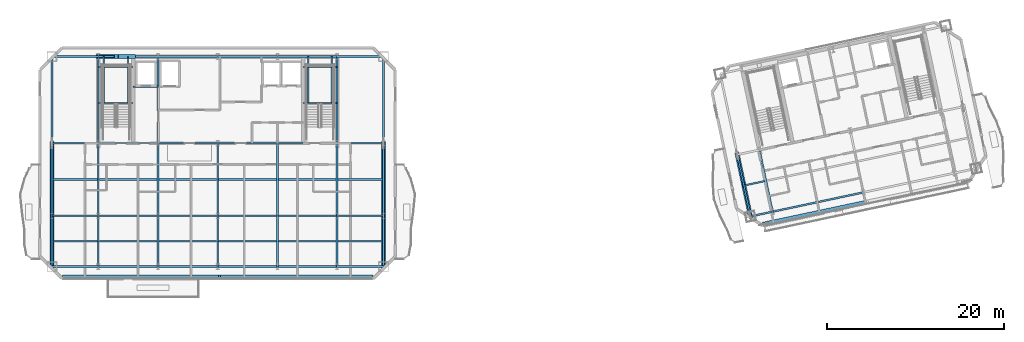
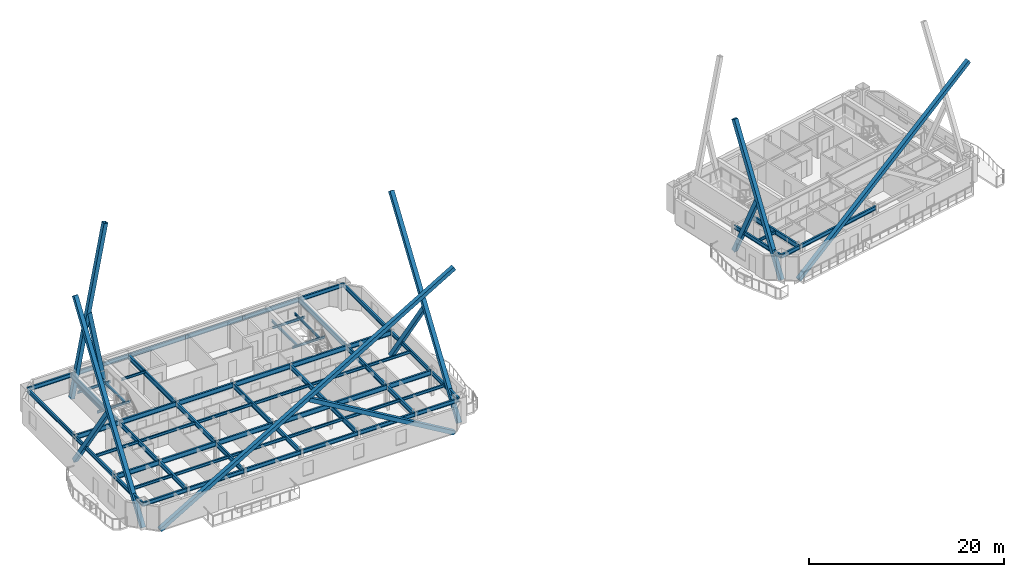
# One storey, part 3 of 19: 69 beams, 11 members.
"""IFC4 building model written with IfcOpenShell, lengths in metres."""

from ifc_helpers import new_model, si_unit, direction, frame, origin, origin_2d, place, context, subcontext, project, spatial, hollow_rectangle, i_section, extrude, material, material_profile, profile_set, type_object, element, save


model = new_model("IFC4")

# Units and contexts
model_context = context("Model", 3, precision=1e-05, world=origin(), true_north=direction((0.0, 1.0)))
body_context = subcontext(model_context, "Body", "Model", "MODEL_VIEW")
ifc_project = project(units=[si_unit("LENGTHUNIT", "METRE"), si_unit("AREAUNIT", "SQUARE_METRE"), si_unit("VOLUMEUNIT", "CUBIC_METRE"), si_unit("PLANEANGLEUNIT", "RADIAN"), si_unit("MASSUNIT", "GRAM", prefix="KILO")], contexts=[model_context])

# Site, building, storey
site_placement = place(None, origin())
site = spatial("IfcSite", under=ifc_project, at=site_placement, CompositionType="ELEMENT")
building_placement = place(site_placement, origin())
building = spatial("IfcBuilding", under=site, at=building_placement, Name="Haevon Station Towers", CompositionType="ELEMENT")
storey_placement = place(building_placement, frame((0.0, 0.0, 218.699951171875)))
storey = spatial("IfcBuildingStorey", under=building, at=storey_placement, Name="L60", CompositionType="ELEMENT", Elevation=218.699951171875)

# Beams
ifc_material_1 = material(Name="Steel S355", Category="steel")
ifc_material_profile_1 = material_profile(ifc_material_1, i_section(OverallWidth=0.199951171875, OverallDepth=0.60009765625, WebThickness=0.010986328125, FlangeThickness=0.01708984375, at=origin_2d()), Name="H-600x200x11x17")
ifc_profile_set_1 = profile_set([ifc_material_profile_1], Name="Steel S355")
beam_type_1 = type_object("IfcBeamType", Name="BM-G600", PredefinedType="BEAM", material=ifc_profile_set_1)
beam_1_placement = place(storey_placement, frame((18.75, 30.0, 2.75), z_axis=(1.0, 0.0, 0.0), x_axis=(0.0, 1.0, 0.0)))
element("IfcBeam", 1, at=beam_1_placement, inside=storey, type_object=beam_type_1, Name="BM-T1U-L60-02-01", PredefinedType="BEAM", context=body_context, shape_type="SweptSolid", body=[
    extrude(i_section(OverallWidth=0.199951171875, OverallDepth=0.60009765625, WebThickness=0.010986328125, FlangeThickness=0.01708984375, at=origin_2d()), origin(), (0.0, 0.0, 1.0), 5.25),
])
for number, where, z_axis, x_axis, name in (
    (2, (24.0, 30.0, 2.75), (1.0, 0.0, 0.0), (0.0, 1.0, 0.0), "BM-T1U-L60-02-02"),
    (3, (30.75, 30.0, 2.75), (1.0, 0.0, 0.0), (0.0, 1.0, 0.0), "BM-T1U-L60-02-03"),
    (4, (37.5, 30.0, 2.75), (1.0, 0.0, 0.0), (0.0, 1.0, 0.0), "BM-T1U-L60-02-04"),
    (5, (44.25, 30.0, 2.75), (1.0, 0.0, 0.0), (0.0, 1.0, 0.0), "BM-T1U-L60-02-05"),
):
    element("IfcBeam", number, at=place(storey_placement, frame(where, z_axis=z_axis, x_axis=x_axis)), inside=storey, type_object=beam_type_1, Name=name, PredefinedType="BEAM", context=body_context, shape_type="SweptSolid", body=[
        extrude(i_section(OverallWidth=0.199951171875, OverallDepth=0.60009765625, WebThickness=0.010986328125, FlangeThickness=0.01708984375, at=origin_2d()), origin(), (0.0, 0.0, 1.0), 6.75),
    ])
for number, where, z_axis, x_axis, name in (
    (6, (51.0, 30.0, 2.75), (1.0, 0.0, 0.0), (0.0, 1.0, 0.0), "BM-T1U-L60-02-06"),
    (7, (18.75, 38.199951171875, 2.75), (1.0, 0.0, 0.0), (0.0, 1.0, 0.0), "BM-T1U-L60-03-01"),
):
    element("IfcBeam", number, at=place(storey_placement, frame(where, z_axis=z_axis, x_axis=x_axis)), inside=storey, type_object=beam_type_1, Name=name, PredefinedType="BEAM", context=body_context, shape_type="SweptSolid", body=[
        extrude(i_section(OverallWidth=0.199951171875, OverallDepth=0.60009765625, WebThickness=0.010986328125, FlangeThickness=0.01708984375, at=origin_2d()), origin(), (0.0, 0.0, 1.0), 5.25),
    ])
for number, where, z_axis, x_axis, name in (
    (8, (24.0, 38.199951171875, 2.75), (1.0, 0.0, 0.0), (0.0, 1.0, 0.0), "BM-T1U-L60-03-02"),
    (9, (30.75, 38.199951171875, 2.75), (1.0, 0.0, 0.0), (0.0, 1.0, 0.0), "BM-T1U-L60-03-03"),
    (10, (37.5, 38.199951171875, 2.75), (1.0, 0.0, 0.0), (0.0, 1.0, 0.0), "BM-T1U-L60-03-04"),
    (11, (44.25, 38.199951171875, 2.75), (1.0, 0.0, 0.0), (0.0, 1.0, 0.0), "BM-T1U-L60-03-05"),
):
    element("IfcBeam", number, at=place(storey_placement, frame(where, z_axis=z_axis, x_axis=x_axis)), inside=storey, type_object=beam_type_1, Name=name, PredefinedType="BEAM", context=body_context, shape_type="SweptSolid", body=[
        extrude(i_section(OverallWidth=0.199951171875, OverallDepth=0.60009765625, WebThickness=0.010986328125, FlangeThickness=0.01708984375, at=origin_2d()), origin(), (0.0, 0.0, 1.0), 6.75),
    ])
beam_2_placement = place(storey_placement, frame((51.0, 38.199951171875, 2.75), z_axis=(1.0, 0.0, 0.0), x_axis=(0.0, 1.0, 0.0)))
element("IfcBeam", 12, at=beam_2_placement, inside=storey, type_object=beam_type_1, Name="BM-T1U-L60-03-06", PredefinedType="BEAM", context=body_context, shape_type="SweptSolid", body=[
    extrude(i_section(OverallWidth=0.199951171875, OverallDepth=0.60009765625, WebThickness=0.010986328125, FlangeThickness=0.01708984375, at=origin_2d()), origin(), (0.0, 0.0, 1.0), 5.25),
])
beam_3_placement = place(storey_placement, frame((24.0, 24.25, 2.75), z_axis=(0.0, 1.0, 0.0), x_axis=(-1.0, 0.0, 0.0)))
element("IfcBeam", 13, at=beam_3_placement, inside=storey, type_object=beam_type_1, Name="BM-T1V-L60-02-01", PredefinedType="BEAM", context=body_context, shape_type="SweptSolid", body=[
    extrude(i_section(OverallWidth=0.199951171875, OverallDepth=0.60009765625, WebThickness=0.010986328125, FlangeThickness=0.01708984375, at=origin_2d()), origin(), (0.0, 0.0, 1.0), 5.75),
])
beam_4_placement = place(storey_placement, frame((24.0, 30.0, 2.75), z_axis=(0.0, 1.0, 0.0), x_axis=(-1.0, 0.0, 0.0)))
element("IfcBeam", 14, at=beam_4_placement, inside=storey, type_object=beam_type_1, Name="BM-T1V-L60-02-02", PredefinedType="BEAM", context=body_context, shape_type="SweptSolid", body=[
    extrude(i_section(OverallWidth=0.199951171875, OverallDepth=0.60009765625, WebThickness=0.010986328125, FlangeThickness=0.01708984375, at=origin_2d()), origin(), (0.0, 0.0, 1.0), 8.199951171875),
])
beam_5_placement = place(storey_placement, frame((24.0, 38.199951171875, 2.75), z_axis=(0.0, 1.0, 0.0), x_axis=(-1.0, 0.0, 0.0)))
element("IfcBeam", 15, at=beam_5_placement, inside=storey, type_object=beam_type_1, Name="BM-T1V-L60-02-03", PredefinedType="BEAM", context=body_context, shape_type="SweptSolid", body=[
    extrude(i_section(OverallWidth=0.199951171875, OverallDepth=0.60009765625, WebThickness=0.010986328125, FlangeThickness=0.01708984375, at=origin_2d()), origin(), (0.0, 0.0, 1.0), 9.800048828125),
])
beam_6_placement = place(storey_placement, frame((30.75, 24.25, 2.75), z_axis=(0.0, 1.0, 0.0), x_axis=(-1.0, 0.0, 0.0)))
element("IfcBeam", 16, at=beam_6_placement, inside=storey, type_object=beam_type_1, Name="BM-T1V-L60-03-01", PredefinedType="BEAM", context=body_context, shape_type="SweptSolid", body=[
    extrude(i_section(OverallWidth=0.199951171875, OverallDepth=0.60009765625, WebThickness=0.010986328125, FlangeThickness=0.01708984375, at=origin_2d()), origin(), (0.0, 0.0, 1.0), 5.75),
])
beam_7_placement = place(storey_placement, frame((30.75, 30.0, 2.75), z_axis=(0.0, 1.0, 0.0), x_axis=(-1.0, 0.0, 0.0)))
element("IfcBeam", 17, at=beam_7_placement, inside=storey, type_object=beam_type_1, Name="BM-T1V-L60-03-02", PredefinedType="BEAM", context=body_context, shape_type="SweptSolid", body=[
    extrude(i_section(OverallWidth=0.199951171875, OverallDepth=0.60009765625, WebThickness=0.010986328125, FlangeThickness=0.01708984375, at=origin_2d()), origin(), (0.0, 0.0, 1.0), 8.199951171875),
])
beam_8_placement = place(storey_placement, frame((30.75, 38.199951171875, 2.75), z_axis=(0.0, 1.0, 0.0), x_axis=(-1.0, 0.0, 0.0)))
element("IfcBeam", 18, at=beam_8_placement, inside=storey, type_object=beam_type_1, Name="BM-T1V-L60-03-03", PredefinedType="BEAM", context=body_context, shape_type="SweptSolid", body=[
    extrude(i_section(OverallWidth=0.199951171875, OverallDepth=0.60009765625, WebThickness=0.010986328125, FlangeThickness=0.01708984375, at=origin_2d()), origin(), (0.0, 0.0, 1.0), 9.800048828125),
])
beam_9_placement = place(storey_placement, frame((37.5, 24.25, 2.75), z_axis=(0.0, 1.0, 0.0), x_axis=(-1.0, 0.0, 0.0)))
element("IfcBeam", 19, at=beam_9_placement, inside=storey, type_object=beam_type_1, Name="BM-T1V-L60-04-01", PredefinedType="BEAM", context=body_context, shape_type="SweptSolid", body=[
    extrude(i_section(OverallWidth=0.199951171875, OverallDepth=0.60009765625, WebThickness=0.010986328125, FlangeThickness=0.01708984375, at=origin_2d()), origin(), (0.0, 0.0, 1.0), 5.75),
])
beam_10_placement = place(storey_placement, frame((37.5, 30.0, 2.75), z_axis=(0.0, 1.0, 0.0), x_axis=(-1.0, 0.0, 0.0)))
element("IfcBeam", 20, at=beam_10_placement, inside=storey, type_object=beam_type_1, Name="BM-T1V-L60-04-02", PredefinedType="BEAM", context=body_context, shape_type="SweptSolid", body=[
    extrude(i_section(OverallWidth=0.199951171875, OverallDepth=0.60009765625, WebThickness=0.010986328125, FlangeThickness=0.01708984375, at=origin_2d()), origin(), (0.0, 0.0, 1.0), 8.199951171875),
])
beam_11_placement = place(storey_placement, frame((44.25, 24.25, 2.75), z_axis=(0.0, 1.0, 0.0), x_axis=(-1.0, 0.0, 0.0)))
element("IfcBeam", 21, at=beam_11_placement, inside=storey, type_object=beam_type_1, Name="BM-T1V-L60-05-01", PredefinedType="BEAM", context=body_context, shape_type="SweptSolid", body=[
    extrude(i_section(OverallWidth=0.199951171875, OverallDepth=0.60009765625, WebThickness=0.010986328125, FlangeThickness=0.01708984375, at=origin_2d()), origin(), (0.0, 0.0, 1.0), 5.75),
])
beam_12_placement = place(storey_placement, frame((44.25, 30.0, 2.75), z_axis=(0.0, 1.0, 0.0), x_axis=(-1.0, 0.0, 0.0)))
element("IfcBeam", 22, at=beam_12_placement, inside=storey, type_object=beam_type_1, Name="BM-T1V-L60-05-02", PredefinedType="BEAM", context=body_context, shape_type="SweptSolid", body=[
    extrude(i_section(OverallWidth=0.199951171875, OverallDepth=0.60009765625, WebThickness=0.010986328125, FlangeThickness=0.01708984375, at=origin_2d()), origin(), (0.0, 0.0, 1.0), 8.199951171875),
])
beam_13_placement = place(storey_placement, frame((51.0, 24.25, 2.75), z_axis=(0.0, 1.0, 0.0), x_axis=(-1.0, 0.0, 0.0)))
element("IfcBeam", 23, at=beam_13_placement, inside=storey, type_object=beam_type_1, Name="BM-T1V-L60-06-01", PredefinedType="BEAM", context=body_context, shape_type="SweptSolid", body=[
    extrude(i_section(OverallWidth=0.199951171875, OverallDepth=0.60009765625, WebThickness=0.010986328125, FlangeThickness=0.01708984375, at=origin_2d()), origin(), (0.0, 0.0, 1.0), 5.75),
])
beam_14_placement = place(storey_placement, frame((51.0, 30.0, 2.75), z_axis=(0.0, 1.0, 0.0), x_axis=(-1.0, 0.0, 0.0)))
element("IfcBeam", 24, at=beam_14_placement, inside=storey, type_object=beam_type_1, Name="BM-T1V-L60-06-02", PredefinedType="BEAM", context=body_context, shape_type="SweptSolid", body=[
    extrude(i_section(OverallWidth=0.199951171875, OverallDepth=0.60009765625, WebThickness=0.010986328125, FlangeThickness=0.01708984375, at=origin_2d()), origin(), (0.0, 0.0, 1.0), 8.199951171875),
])
beam_15_placement = place(storey_placement, frame((51.0, 38.199951171875, 2.75), z_axis=(0.0, 1.0, 0.0), x_axis=(-1.0, 0.0, 0.0)))
element("IfcBeam", 25, at=beam_15_placement, inside=storey, type_object=beam_type_1, Name="BM-T1V-L60-06-03", PredefinedType="BEAM", context=body_context, shape_type="SweptSolid", body=[
    extrude(i_section(OverallWidth=0.199951171875, OverallDepth=0.60009765625, WebThickness=0.010986328125, FlangeThickness=0.01708984375, at=origin_2d()), origin(), (0.0, 0.0, 1.0), 9.800048828125),
])
beam_16_placement = place(storey_placement, frame((100.23681640625, 30.45849609375, 2.75), z_axis=(-0.207898833396, 0.978150333575, 0.0), x_axis=(-0.978150333575, -0.207898833396, 0.0)))
element("IfcBeam", 26, at=beam_16_placement, inside=storey, type_object=beam_type_1, Name="BM-T2V-L60-02-01", PredefinedType="BEAM", context=body_context, shape_type="SweptSolid", body=[
    extrude(i_section(OverallWidth=0.199951171875, OverallDepth=0.60009765625, WebThickness=0.010986328125, FlangeThickness=0.01708984375, at=origin_2d()), origin(), (0.0, 0.0, 1.0), 7.139892578125),
])
ifc_material_profile_2 = material_profile(ifc_material_1, i_section(OverallWidth=0.175048828125, OverallDepth=0.35009765625, WebThickness=0.007080078125, FlangeThickness=0.010986328125, at=origin_2d()), Name="H-350x175x7x11")
ifc_profile_set_2 = profile_set([ifc_material_profile_2], Name="Steel S355")
beam_type_2 = type_object("IfcBeamType", Name="BM-J350", PredefinedType="JOIST", material=ifc_profile_set_2)
beam_17_placement = place(storey_placement, frame((18.860107421875, 27.125, 2.875), z_axis=(1.0, 0.0, 0.0), x_axis=(0.0, 1.0, 0.0)))
element("IfcBeam", 27, at=beam_17_placement, inside=storey, type_object=beam_type_2, Name="BM-T1J-L60-01-01", PredefinedType="JOIST", context=body_context, shape_type="SweptSolid", body=[
    extrude(i_section(OverallWidth=0.175048828125, OverallDepth=0.35009765625, WebThickness=0.007080078125, FlangeThickness=0.010986328125, at=origin_2d()), origin(), (0.0, 0.0, 1.0), 5.02978515625),
])
for number, where, z_axis, x_axis, name in (
    (28, (24.110107421875, 27.125, 2.875), (1.0, 0.0, 0.0), (0.0, 1.0, 0.0), "BM-T1J-L60-01-02"),
    (29, (30.860107421875, 27.125, 2.875), (1.0, 0.0, 0.0), (0.0, 1.0, 0.0), "BM-T1J-L60-01-03"),
    (30, (37.610107421875, 27.125, 2.875), (1.0, 0.0, 0.0), (0.0, 1.0, 0.0), "BM-T1J-L60-01-04"),
    (31, (44.360107421875, 27.125, 2.875), (1.0, 0.0, 0.0), (0.0, 1.0, 0.0), "BM-T1J-L60-01-05"),
):
    element("IfcBeam", number, at=place(storey_placement, frame(where, z_axis=z_axis, x_axis=x_axis)), inside=storey, type_object=beam_type_2, Name=name, PredefinedType="JOIST", context=body_context, shape_type="SweptSolid", body=[
        extrude(i_section(OverallWidth=0.175048828125, OverallDepth=0.35009765625, WebThickness=0.007080078125, FlangeThickness=0.010986328125, at=origin_2d()), origin(), (0.0, 0.0, 1.0), 6.52978515625),
    ])
for number, where, z_axis, x_axis, name in (
    (32, (51.110107421875, 27.125, 2.875), (1.0, 0.0, 0.0), (0.0, 1.0, 0.0), "BM-T1J-L60-01-06"),
    (33, (18.860107421875, 34.10009765625, 2.875), (1.0, 0.0, 0.0), (0.0, 1.0, 0.0), "BM-T1J-L60-02-01"),
):
    element("IfcBeam", number, at=place(storey_placement, frame(where, z_axis=z_axis, x_axis=x_axis)), inside=storey, type_object=beam_type_2, Name=name, PredefinedType="JOIST", context=body_context, shape_type="SweptSolid", body=[
        extrude(i_section(OverallWidth=0.175048828125, OverallDepth=0.35009765625, WebThickness=0.007080078125, FlangeThickness=0.010986328125, at=origin_2d()), origin(), (0.0, 0.0, 1.0), 5.02978515625),
    ])
for number, where, z_axis, x_axis, name in (
    (34, (24.110107421875, 34.10009765625, 2.875), (1.0, 0.0, 0.0), (0.0, 1.0, 0.0), "BM-T1J-L60-02-02"),
    (35, (30.860107421875, 34.10009765625, 2.875), (1.0, 0.0, 0.0), (0.0, 1.0, 0.0), "BM-T1J-L60-02-03"),
    (36, (37.610107421875, 34.10009765625, 2.875), (1.0, 0.0, 0.0), (0.0, 1.0, 0.0), "BM-T1J-L60-02-04"),
    (37, (44.360107421875, 34.10009765625, 2.875), (1.0, 0.0, 0.0), (0.0, 1.0, 0.0), "BM-T1J-L60-02-05"),
):
    element("IfcBeam", number, at=place(storey_placement, frame(where, z_axis=z_axis, x_axis=x_axis)), inside=storey, type_object=beam_type_2, Name=name, PredefinedType="JOIST", context=body_context, shape_type="SweptSolid", body=[
        extrude(i_section(OverallWidth=0.175048828125, OverallDepth=0.35009765625, WebThickness=0.007080078125, FlangeThickness=0.010986328125, at=origin_2d()), origin(), (0.0, 0.0, 1.0), 6.52978515625),
    ])
beam_18_placement = place(storey_placement, frame((51.110107421875, 34.10009765625, 2.875), z_axis=(1.0, 0.0, 0.0), x_axis=(0.0, 1.0, 0.0)))
element("IfcBeam", 38, at=beam_18_placement, inside=storey, type_object=beam_type_2, Name="BM-T1J-L60-02-06", PredefinedType="JOIST", context=body_context, shape_type="SweptSolid", body=[
    extrude(i_section(OverallWidth=0.175048828125, OverallDepth=0.35009765625, WebThickness=0.007080078125, FlangeThickness=0.010986328125, at=origin_2d()), origin(), (0.0, 0.0, 1.0), 5.02978515625),
])
beam_19_placement = place(storey_placement, frame((97.10791015625, 33.443115234375, 2.875), z_axis=(0.978152192783, 0.207890085751, 0.0), x_axis=(-0.207890085751, 0.978152192783, 0.0)))
element("IfcBeam", 39, at=beam_19_placement, inside=storey, type_object=beam_type_2, Name="BM-T2J-L60-01-01", PredefinedType="JOIST", context=body_context, shape_type="SweptSolid", body=[
    extrude(i_section(OverallWidth=0.175048828125, OverallDepth=0.35009765625, WebThickness=0.007080078125, FlangeThickness=0.010986328125, at=origin_2d()), origin(), (0.0, 0.0, 1.0), 2.330078125),
])
ifc_material_profile_3 = material_profile(ifc_material_1, i_section(OverallWidth=0.14990234375, OverallDepth=0.300048828125, WebThickness=0.006591796875, FlangeThickness=0.009033203125, at=origin_2d()), Name="H-300x150x6.5x9")
ifc_profile_set_3 = profile_set([ifc_material_profile_3], Name="Steel S355")
beam_type_3 = type_object("IfcBeamType", Name="BM-LIN300", PredefinedType="LINTEL", material=ifc_profile_set_3)
for number, where, z_axis, x_axis, name in (
    (40, (24.0, 42.743896484375, 1.300048828125), (1.0, 0.0, 0.0), (0.0, 1.0, 0.0), "BM-ST1L-L60-1-S"),
    (41, (24.0, 46.820068359375, 1.300048828125), (1.0, 0.0, 0.0), (0.0, 1.0, 0.0), "BM-ST1L-L60-1-N"),
):
    element("IfcBeam", number, at=place(storey_placement, frame(where, z_axis=z_axis, x_axis=x_axis)), inside=storey, type_object=beam_type_3, Name=name, PredefinedType="LINTEL", context=body_context, shape_type="SweptSolid", body=[
        extrude(i_section(OverallWidth=0.14990234375, OverallDepth=0.300048828125, WebThickness=0.006591796875, FlangeThickness=0.009033203125, at=origin_2d()), origin(), (0.0, 0.0, 1.0), 3.949951171875),
    ])
for number, where, z_axis, x_axis, name in (
    (42, (24.60009765625, 42.743896484375, 1.300048828125), (0.0, 1.0, 0.0), (-1.0, 0.0, 0.0), "BM-ST1L-L60-1-W"),
    (43, (27.35009765625, 42.743896484375, 1.300048828125), (0.0, 1.0, 0.0), (-1.0, 0.0, 0.0), "BM-ST1L-L60-1-E"),
):
    element("IfcBeam", number, at=place(storey_placement, frame(where, z_axis=z_axis, x_axis=x_axis)), inside=storey, type_object=beam_type_3, Name=name, PredefinedType="LINTEL", context=body_context, shape_type="SweptSolid", body=[
        extrude(i_section(OverallWidth=0.14990234375, OverallDepth=0.300048828125, WebThickness=0.006591796875, FlangeThickness=0.009033203125, at=origin_2d()), origin(), (0.0, 0.0, 1.0), 5.256103515625),
    ])
for number, where, z_axis, x_axis, name in (
    (44, (47.14990234375, 42.743896484375, 1.300048828125), (1.0, 0.0, 0.0), (0.0, 1.0, 0.0), "BM-ST2L-L60-1-S"),
    (45, (47.14990234375, 46.820068359375, 1.300048828125), (1.0, 0.0, 0.0), (0.0, 1.0, 0.0), "BM-ST2L-L60-1-N"),
):
    element("IfcBeam", number, at=place(storey_placement, frame(where, z_axis=z_axis, x_axis=x_axis)), inside=storey, type_object=beam_type_3, Name=name, PredefinedType="LINTEL", context=body_context, shape_type="SweptSolid", body=[
        extrude(i_section(OverallWidth=0.14990234375, OverallDepth=0.300048828125, WebThickness=0.006591796875, FlangeThickness=0.009033203125, at=origin_2d()), origin(), (0.0, 0.0, 1.0), 3.85009765625),
    ])
for number, where, z_axis, x_axis, name in (
    (46, (47.75, 42.743896484375, 1.300048828125), (0.0, 1.0, 0.0), (-1.0, 0.0, 0.0), "BM-ST2L-L60-1-W"),
    (47, (50.39990234375, 42.743896484375, 1.300048828125), (0.0, 1.0, 0.0), (-1.0, 0.0, 0.0), "BM-ST2L-L60-1-E"),
):
    element("IfcBeam", number, at=place(storey_placement, frame(where, z_axis=z_axis, x_axis=x_axis)), inside=storey, type_object=beam_type_3, Name=name, PredefinedType="LINTEL", context=body_context, shape_type="SweptSolid", body=[
        extrude(i_section(OverallWidth=0.14990234375, OverallDepth=0.300048828125, WebThickness=0.006591796875, FlangeThickness=0.009033203125, at=origin_2d()), origin(), (0.0, 0.0, 1.0), 5.256103515625),
    ])
beam_20_placement = place(storey_placement, frame((27.949951171875, 44.60009765625, 2.900146484375), z_axis=(1.0, 0.0, 0.0), x_axis=(0.0, 1.0, 0.0)))
element("IfcBeam", 48, at=beam_20_placement, inside=storey, type_object=beam_type_3, Name="BM-T1LIN-L60", PredefinedType="LINTEL", context=body_context, shape_type="SweptSolid", body=[
    extrude(i_section(OverallWidth=0.14990234375, OverallDepth=0.300048828125, WebThickness=0.006591796875, FlangeThickness=0.009033203125, at=origin_2d()), origin(), (0.0, 0.0, 1.0), 2.85009765625),
])
ifc_material_profile_4 = material_profile(ifc_material_1, i_section(OverallWidth=0.199951171875, OverallDepth=0.5, WebThickness=0.010009765625, FlangeThickness=0.01611328125, at=origin_2d()), Name="H-500x200x10x16")
ifc_profile_set_4 = profile_set([ifc_material_profile_4], Name="Steel S355")
beam_type_4 = type_object("IfcBeamType", Name="BM-SP500", PredefinedType="SPANDREL", material=ifc_profile_set_4)
beam_21_placement = place(storey_placement, frame((18.75, 24.25, 2.800048828125), z_axis=(1.0, 0.0, 0.0), x_axis=(0.0, 1.0, 0.0)))
element("IfcBeam", 49, at=beam_21_placement, inside=storey, type_object=beam_type_4, Name="BM-T1U-L60-01-01", PredefinedType="SPANDREL", context=body_context, shape_type="SweptSolid", body=[
    extrude(i_section(OverallWidth=0.199951171875, OverallDepth=0.5, WebThickness=0.010009765625, FlangeThickness=0.01611328125, at=origin_2d()), origin(), (0.0, 0.0, 1.0), 5.25),
])
for number, where, z_axis, x_axis, name in (
    (50, (24.0, 24.25, 2.800048828125), (1.0, 0.0, 0.0), (0.0, 1.0, 0.0), "BM-T1U-L60-01-02"),
    (51, (30.75, 24.25, 2.800048828125), (1.0, 0.0, 0.0), (0.0, 1.0, 0.0), "BM-T1U-L60-01-03"),
    (52, (37.5, 24.25, 2.800048828125), (1.0, 0.0, 0.0), (0.0, 1.0, 0.0), "BM-T1U-L60-01-04"),
    (53, (44.25, 24.25, 2.800048828125), (1.0, 0.0, 0.0), (0.0, 1.0, 0.0), "BM-T1U-L60-01-05"),
):
    element("IfcBeam", number, at=place(storey_placement, frame(where, z_axis=z_axis, x_axis=x_axis)), inside=storey, type_object=beam_type_4, Name=name, PredefinedType="SPANDREL", context=body_context, shape_type="SweptSolid", body=[
        extrude(i_section(OverallWidth=0.199951171875, OverallDepth=0.5, WebThickness=0.010009765625, FlangeThickness=0.01611328125, at=origin_2d()), origin(), (0.0, 0.0, 1.0), 6.75),
    ])
for number, where, z_axis, x_axis, name in (
    (54, (51.0, 24.25, 2.800048828125), (1.0, 0.0, 0.0), (0.0, 1.0, 0.0), "BM-T1U-L60-01-06"),
    (55, (18.75, 48.0, 2.800048828125), (1.0, 0.0, 0.0), (0.0, 1.0, 0.0), "BM-T1U-L60-04-01"),
):
    element("IfcBeam", number, at=place(storey_placement, frame(where, z_axis=z_axis, x_axis=x_axis)), inside=storey, type_object=beam_type_4, Name=name, PredefinedType="SPANDREL", context=body_context, shape_type="SweptSolid", body=[
        extrude(i_section(OverallWidth=0.199951171875, OverallDepth=0.5, WebThickness=0.010009765625, FlangeThickness=0.01611328125, at=origin_2d()), origin(), (0.0, 0.0, 1.0), 5.25),
    ])
for number, where, z_axis, x_axis, name in (
    (56, (24.0, 48.0, 2.800048828125), (1.0, 0.0, 0.0), (0.0, 1.0, 0.0), "BM-T1U-L60-04-02"),
    (57, (30.75, 48.0, 2.800048828125), (1.0, 0.0, 0.0), (0.0, 1.0, 0.0), "BM-T1U-L60-04-03"),
    (58, (37.5, 48.0, 2.800048828125), (1.0, 0.0, 0.0), (0.0, 1.0, 0.0), "BM-T1U-L60-04-04"),
    (59, (44.25, 48.0, 2.800048828125), (1.0, 0.0, 0.0), (0.0, 1.0, 0.0), "BM-T1U-L60-04-05"),
):
    element("IfcBeam", number, at=place(storey_placement, frame(where, z_axis=z_axis, x_axis=x_axis)), inside=storey, type_object=beam_type_4, Name=name, PredefinedType="SPANDREL", context=body_context, shape_type="SweptSolid", body=[
        extrude(i_section(OverallWidth=0.199951171875, OverallDepth=0.5, WebThickness=0.010009765625, FlangeThickness=0.01611328125, at=origin_2d()), origin(), (0.0, 0.0, 1.0), 6.75),
    ])
beam_22_placement = place(storey_placement, frame((51.0, 48.0, 2.800048828125), z_axis=(1.0, 0.0, 0.0), x_axis=(0.0, 1.0, 0.0)))
element("IfcBeam", 60, at=beam_22_placement, inside=storey, type_object=beam_type_4, Name="BM-T1U-L60-04-06", PredefinedType="SPANDREL", context=body_context, shape_type="SweptSolid", body=[
    extrude(i_section(OverallWidth=0.199951171875, OverallDepth=0.5, WebThickness=0.010009765625, FlangeThickness=0.01611328125, at=origin_2d()), origin(), (0.0, 0.0, 1.0), 5.25),
])
beam_23_placement = place(storey_placement, frame((18.75, 24.25, 2.800048828125), z_axis=(0.0, 1.0, 0.0), x_axis=(-1.0, 0.0, 0.0)))
element("IfcBeam", 61, at=beam_23_placement, inside=storey, type_object=beam_type_4, Name="BM-T1V-L60-01-01", PredefinedType="SPANDREL", context=body_context, shape_type="SweptSolid", body=[
    extrude(i_section(OverallWidth=0.199951171875, OverallDepth=0.5, WebThickness=0.010009765625, FlangeThickness=0.01611328125, at=origin_2d()), origin(), (0.0, 0.0, 1.0), 5.75),
])
beam_24_placement = place(storey_placement, frame((18.75, 30.0, 2.800048828125), z_axis=(0.0, 1.0, 0.0), x_axis=(-1.0, 0.0, 0.0)))
element("IfcBeam", 62, at=beam_24_placement, inside=storey, type_object=beam_type_4, Name="BM-T1V-L60-01-02", PredefinedType="SPANDREL", context=body_context, shape_type="SweptSolid", body=[
    extrude(i_section(OverallWidth=0.199951171875, OverallDepth=0.5, WebThickness=0.010009765625, FlangeThickness=0.01611328125, at=origin_2d()), origin(), (0.0, 0.0, 1.0), 8.199951171875),
])
beam_25_placement = place(storey_placement, frame((18.75, 38.199951171875, 2.800048828125), z_axis=(0.0, 1.0, 0.0), x_axis=(-1.0, 0.0, 0.0)))
element("IfcBeam", 63, at=beam_25_placement, inside=storey, type_object=beam_type_4, Name="BM-T1V-L60-01-03", PredefinedType="SPANDREL", context=body_context, shape_type="SweptSolid", body=[
    extrude(i_section(OverallWidth=0.199951171875, OverallDepth=0.5, WebThickness=0.010009765625, FlangeThickness=0.01611328125, at=origin_2d()), origin(), (0.0, 0.0, 1.0), 9.800048828125),
])
beam_26_placement = place(storey_placement, frame((56.25, 24.25, 2.800048828125), z_axis=(0.0, 1.0, 0.0), x_axis=(-1.0, 0.0, 0.0)))
element("IfcBeam", 64, at=beam_26_placement, inside=storey, type_object=beam_type_4, Name="BM-T1V-L60-07-01", PredefinedType="SPANDREL", context=body_context, shape_type="SweptSolid", body=[
    extrude(i_section(OverallWidth=0.199951171875, OverallDepth=0.5, WebThickness=0.010009765625, FlangeThickness=0.01611328125, at=origin_2d()), origin(), (0.0, 0.0, 1.0), 5.75),
])
beam_27_placement = place(storey_placement, frame((56.25, 30.0, 2.800048828125), z_axis=(0.0, 1.0, 0.0), x_axis=(-1.0, 0.0, 0.0)))
element("IfcBeam", 65, at=beam_27_placement, inside=storey, type_object=beam_type_4, Name="BM-T1V-L60-07-02", PredefinedType="SPANDREL", context=body_context, shape_type="SweptSolid", body=[
    extrude(i_section(OverallWidth=0.199951171875, OverallDepth=0.5, WebThickness=0.010009765625, FlangeThickness=0.01611328125, at=origin_2d()), origin(), (0.0, 0.0, 1.0), 8.199951171875),
])
beam_28_placement = place(storey_placement, frame((56.25, 38.199951171875, 2.800048828125), z_axis=(0.0, 1.0, 0.0), x_axis=(-1.0, 0.0, 0.0)))
element("IfcBeam", 66, at=beam_28_placement, inside=storey, type_object=beam_type_4, Name="BM-T1V-L60-07-03", PredefinedType="SPANDREL", context=body_context, shape_type="SweptSolid", body=[
    extrude(i_section(OverallWidth=0.199951171875, OverallDepth=0.5, WebThickness=0.010009765625, FlangeThickness=0.01611328125, at=origin_2d()), origin(), (0.0, 0.0, 1.0), 9.800048828125),
])
beam_29_placement = place(storey_placement, frame((97.74267578125, 29.92822265625, 2.800048828125), z_axis=(0.978137432142, 0.207959524531, 0.0), x_axis=(-0.207959524531, 0.978137432142, 0.0)))
element("IfcBeam", 67, at=beam_29_placement, inside=storey, type_object=beam_type_4, Name="BM-T2U-L60-01-01", PredefinedType="SPANDREL", context=body_context, shape_type="SweptSolid", body=[
    extrude(i_section(OverallWidth=0.199951171875, OverallDepth=0.5, WebThickness=0.010009765625, FlangeThickness=0.01611328125, at=origin_2d()), origin(), (0.0, 0.0, 1.0), 2.5498046875),
])
beam_30_placement = place(storey_placement, frame((100.23681640625, 30.45849609375, 2.800048828125), z_axis=(0.978146794194, 0.207915485254, 0.0), x_axis=(-0.207915485254, 0.978146794194, 0.0)))
element("IfcBeam", 68, at=beam_30_placement, inside=storey, type_object=beam_type_4, Name="BM-T2U-L60-01-02", PredefinedType="SPANDREL", context=body_context, shape_type="SweptSolid", body=[
    extrude(i_section(OverallWidth=0.199951171875, OverallDepth=0.5, WebThickness=0.010009765625, FlangeThickness=0.01611328125, at=origin_2d()), origin(), (0.0, 0.0, 1.0), 10.5),
])
beam_31_placement = place(storey_placement, frame((97.74267578125, 29.92822265625, 2.800048828125), z_axis=(-0.207924594698, 0.97814485784, 0.0), x_axis=(-0.97814485784, -0.207924594698, 0.0)))
element("IfcBeam", 69, at=beam_31_placement, inside=storey, type_object=beam_type_4, Name="BM-T2V-L60-01-01", PredefinedType="SPANDREL", context=body_context, shape_type="SweptSolid", body=[
    extrude(i_section(OverallWidth=0.199951171875, OverallDepth=0.5, WebThickness=0.010009765625, FlangeThickness=0.01611328125, at=origin_2d()), origin(), (0.0, 0.0, 1.0), 7.14013671875),
])

# Members
ifc_material_2 = material(Name="Steel S460", Category="steel")
ifc_material_profile_5 = material_profile(ifc_material_2, hollow_rectangle(XDim=0.47998046875, YDim=0.47998046875, WallThickness=0.02490234375, at=origin_2d()), Name="RHS-480x480x25")
ifc_profile_set_5 = profile_set([ifc_material_profile_5], Name="Steel S460")
member_type = type_object("IfcMemberType", Name="MB-480", PredefinedType="BRACE", material=ifc_profile_set_5)
member_1_placement = place(storey_placement, frame((20.050048828125, 23.080078125, -0.119873046875), z_axis=(0.860415872161, 0.0, 0.509592510673), x_axis=(0.0, 1.0, 0.0)))
element("IfcMember", 70, at=member_1_placement, inside=storey, type_object=member_type, Name="BR-T1MB-T09-S-D1", PredefinedType="BRACE", context=body_context, shape_type="SweptSolid", body=[
    extrude(hollow_rectangle(XDim=0.47998046875, YDim=0.47998046875, WallThickness=0.02490234375, at=origin_2d()), origin(), (0.0, 0.0, 1.0), 40.561767578125),
])
member_2_placement = place(storey_placement, frame((54.949951171875, 23.080078125, -0.119873046875), z_axis=(-0.860416248582, 0.0, 0.509591875108), x_axis=(0.0, -1.0, 0.0)))
element("IfcMember", 71, at=member_2_placement, inside=storey, type_object=member_type, Name="BR-T1MB-T09-S-D2A", PredefinedType="BRACE", context=body_context, shape_type="SweptSolid", body=[
    extrude(hollow_rectangle(XDim=0.47998046875, YDim=0.47998046875, WallThickness=0.02490234375, at=origin_2d()), origin(), (0.0, 0.0, 1.0), 20.02880859375),
])
member_3_placement = place(storey_placement, frame((24.0, 48.0, -0.119873046875), z_axis=(0.187700093451, 0.0, 0.982226386796), x_axis=(0.0, 1.0, 0.0)))
element("IfcMember", 72, at=member_3_placement, inside=storey, type_object=member_type, Name="BR-T1MB-T09-N-D1", PredefinedType="BRACE", context=body_context, shape_type="SweptSolid", body=[
    extrude(hollow_rectangle(XDim=0.47998046875, YDim=0.47998046875, WallThickness=0.02490234375, at=origin_2d()), origin(), (0.0, 0.0, 1.0), 21.0439453125),
])
member_4_placement = place(storey_placement, frame((27.949951171875, 48.0, -0.119873046875), z_axis=(-0.187706329923, 0.0, 0.982225195007), x_axis=(0.0, -1.0, 0.0)))
element("IfcMember", 73, at=member_4_placement, inside=storey, type_object=member_type, Name="BR-T1MB-T09-N-D2A", PredefinedType="BRACE", context=body_context, shape_type="SweptSolid", body=[
    extrude(hollow_rectangle(XDim=0.47998046875, YDim=0.47998046875, WallThickness=0.02490234375, at=origin_2d()), origin(), (0.0, 0.0, 1.0), 10.27001953125),
])
member_5_placement = place(storey_placement, frame((18.75, 24.25, -0.119873046875), z_axis=(0.0, 0.559410975385, 0.828890439454), x_axis=(-1.0, 0.0, 0.0)))
element("IfcMember", 74, at=member_5_placement, inside=storey, type_object=member_type, Name="BR-T1MB-T09-W-D1", PredefinedType="BRACE", context=body_context, shape_type="SweptSolid", body=[
    extrude(hollow_rectangle(XDim=0.47998046875, YDim=0.47998046875, WallThickness=0.02490234375, at=origin_2d()), origin(), (0.0, 0.0, 1.0), 24.936767578125),
])
member_6_placement = place(storey_placement, frame((18.75, 38.199951171875, -0.119873046875), z_axis=(0.0, -0.559413817407, 0.828888521391), x_axis=(1.0, 0.0, 0.0)))
element("IfcMember", 75, at=member_6_placement, inside=storey, type_object=member_type, Name="BR-T1MB-T09-W-D2A", PredefinedType="BRACE", context=body_context, shape_type="SweptSolid", body=[
    extrude(hollow_rectangle(XDim=0.47998046875, YDim=0.47998046875, WallThickness=0.02490234375, at=origin_2d()), origin(), (0.0, 0.0, 1.0), 12.21630859375),
])
member_7_placement = place(storey_placement, frame((56.25, 24.25, -0.119873046875), z_axis=(0.0, 0.559410975385, 0.828890439454), x_axis=(-1.0, 0.0, 0.0)))
element("IfcMember", 76, at=member_7_placement, inside=storey, type_object=member_type, Name="BR-T1MB-T09-E-D1", PredefinedType="BRACE", context=body_context, shape_type="SweptSolid", body=[
    extrude(hollow_rectangle(XDim=0.47998046875, YDim=0.47998046875, WallThickness=0.02490234375, at=origin_2d()), origin(), (0.0, 0.0, 1.0), 24.936767578125),
])
member_8_placement = place(storey_placement, frame((56.25, 38.199951171875, -0.119873046875), z_axis=(0.0, -0.559413817407, 0.828888521391), x_axis=(1.0, 0.0, 0.0)))
element("IfcMember", 77, at=member_8_placement, inside=storey, type_object=member_type, Name="BR-T1MB-T09-E-D2A", PredefinedType="BRACE", context=body_context, shape_type="SweptSolid", body=[
    extrude(hollow_rectangle(XDim=0.47998046875, YDim=0.47998046875, WallThickness=0.02490234375, at=origin_2d()), origin(), (0.0, 0.0, 1.0), 12.21630859375),
])
member_9_placement = place(storey_placement, frame((99.25732421875, 29.05419921875, -0.119873046875), z_axis=(0.801011971682, 0.170253221642, 0.573928272298), x_axis=(-0.207903361704, 0.978149371104, 0.0)))
element("IfcMember", 78, at=member_9_placement, inside=storey, type_object=member_type, Name="BR-T2MB-T09-S-D1", PredefinedType="BRACE", context=body_context, shape_type="SweptSolid", body=[
    extrude(hollow_rectangle(XDim=0.47998046875, YDim=0.47998046875, WallThickness=0.02490234375, at=origin_2d()), origin(), (0.0, 0.0, 1.0), 28.697021484375),
])
member_10_placement = place(storey_placement, frame((97.74267578125, 29.92822265625, -0.119873046875), z_axis=(-0.082703503434, 0.389064154373, 0.917490716194), x_axis=(-0.97814485784, -0.207924594698, 0.0)))
element("IfcMember", 79, at=member_10_placement, inside=storey, type_object=member_type, Name="BR-T2MB-T09-W-D1", PredefinedType="BRACE", context=body_context, shape_type="SweptSolid", body=[
    extrude(hollow_rectangle(XDim=0.47998046875, YDim=0.47998046875, WallThickness=0.02490234375, at=origin_2d()), origin(), (0.0, 0.0, 1.0), 17.951171875),
])
member_11_placement = place(storey_placement, frame((96.258056640625, 36.912353515625, -0.119873046875), z_axis=(0.082700701243, -0.389071116303, 0.917488016528), x_axis=(0.978147047262, 0.207914294681, 0.0)))
element("IfcMember", 80, at=member_11_placement, inside=storey, type_object=member_type, Name="BR-T2MB-T09-W-D2A", PredefinedType="BRACE", context=body_context, shape_type="SweptSolid", body=[
    extrude(hollow_rectangle(XDim=0.47998046875, YDim=0.47998046875, WallThickness=0.02490234375, at=origin_2d()), origin(), (0.0, 0.0, 1.0), 8.723388671875),
])

save(model, "model.ifc")
